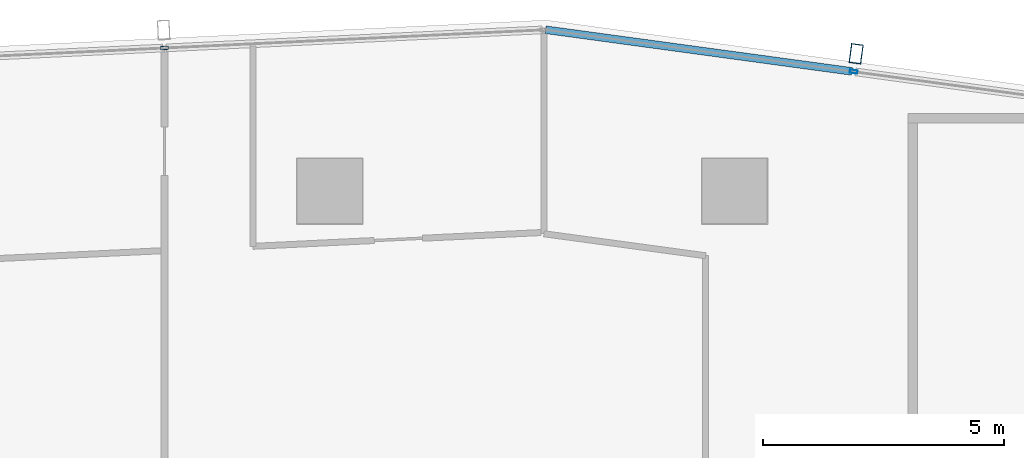
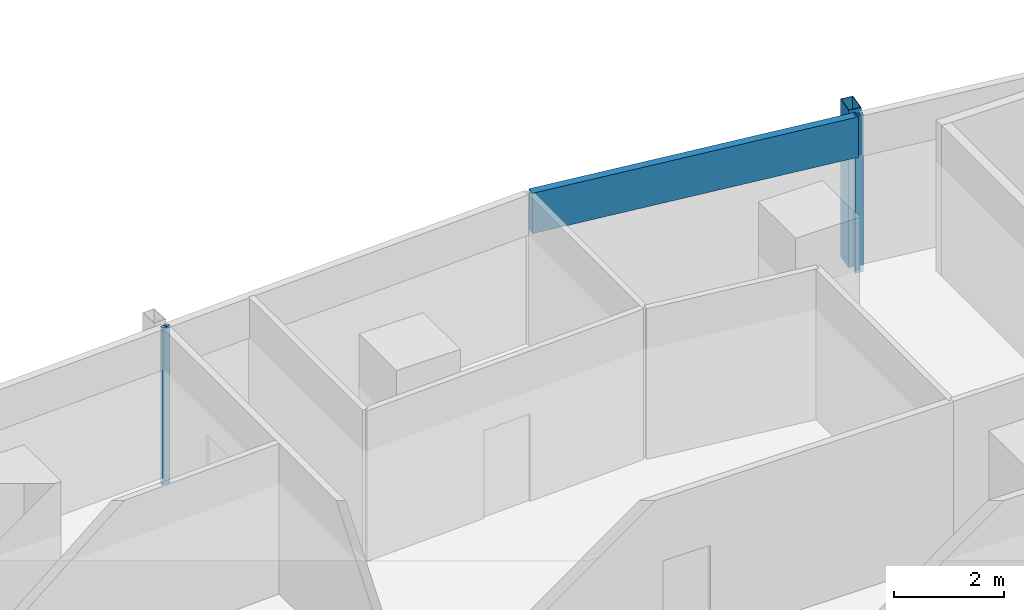
# One storey, part 18 of 33: 4 members, 2 elements without a shape of their own.
"""IFC4 building model written with IfcOpenShell, lengths in metres."""

from ifc_helpers import new_model, si_unit, direction, frame, origin, origin_2d, place, context, subcontext, project, spatial, hollow_rectangle, extrude, material, material_profile, profile_set, type_object, element, aggregate, save


model = new_model("IFC4")

# Units and contexts
model_context = context("Model", 3, precision=1e-05, world=origin(), true_north=direction((0.0, 1.0)))
body_context = subcontext(model_context, "Body", "Model", "MODEL_VIEW")
ifc_project = project(units=[si_unit("LENGTHUNIT", "METRE"), si_unit("AREAUNIT", "SQUARE_METRE"), si_unit("VOLUMEUNIT", "CUBIC_METRE"), si_unit("PLANEANGLEUNIT", "RADIAN"), si_unit("MASSUNIT", "GRAM", prefix="KILO")], contexts=[model_context])

# Site, building, storey
site_placement = place(None, origin())
site = spatial("IfcSite", under=ifc_project, at=site_placement, CompositionType="ELEMENT")
building_placement = place(site_placement, origin())
building = spatial("IfcBuilding", under=site, at=building_placement, Name="Rekha Terrace Tower", CompositionType="ELEMENT")
storey_placement = place(building_placement, frame((0.0, 0.0, 206.449951171875)))
storey = spatial("IfcBuildingStorey", under=building, at=storey_placement, Name="L52", CompositionType="ELEMENT", Elevation=206.449951171875)

# Curtain wall, members
ifc_material_1 = material(Name="Aluminium framing", Category="aluminium")
curtain_wall_type = type_object("IfcCurtainWallType", Name="CW3 north unitised glazing", PredefinedType="USERDEFINED", material=ifc_material_1)
curtain_wall_1_placement = place(storey_placement, origin())
curtain_wall_1 = element("IfcCurtainWall", 1, at=curtain_wall_1_placement, inside=storey, type_object=curtain_wall_type, Name="CW3 unitised curtain wall", ObjectType="UNITISED CURTAIN WALL", PredefinedType="USERDEFINED")
ifc_material_2 = material(Name="Steel S355 with fluorocarbon finish", Category="steel")
ifc_material_profile_1 = material_profile(ifc_material_2, hollow_rectangle(XDim=0.25, YDim=0.39990234375, WallThickness=0.012451171875, at=origin_2d()), Name="RHS400x250x12.5")
ifc_profile_set_1 = profile_set([ifc_material_profile_1], Name="Steel S355 with fluorocarbon finish")
member_type_1 = type_object("IfcMemberType", Name="BL1 facade blade RHS 400 x 250", PredefinedType="USERDEFINED", material=ifc_profile_set_1)
member_1_placement = place(storey_placement, frame((52.92431640625, 61.65087890625, 0.0), z_axis=(0.0, 0.0, 1.0), x_axis=(-0.990867309488, 0.134840553943, 0.0)))
member_1 = element("IfcMember", 2, at=member_1_placement, type_object=member_type_1, Name="Facade blade", ObjectType="FACADE BLADE", PredefinedType="USERDEFINED", context=body_context, shape_type="SweptSolid", body=[
    extrude(hollow_rectangle(XDim=0.25, YDim=0.39990234375, WallThickness=0.012451171875, at=origin_2d()), origin(), (0.0, 0.0, 1.0), 3.5),
])
ifc_material_3 = material(Name="Aluminium mullion section", Category="aluminium")
ifc_material_profile_2 = material_profile(ifc_material_3, hollow_rectangle(XDim=0.070068359375, YDim=0.159912109375, WallThickness=0.00390625, at=origin_2d()), Name="AL RHS 70x160")
ifc_profile_set_2 = profile_set([ifc_material_profile_2], Name="Aluminium mullion section")
member_type_2 = type_object("IfcMemberType", Name="CW3 mullion RHS 70 x 160", PredefinedType="MULLION", material=ifc_profile_set_2)
member_2_placement = place(storey_placement, frame((52.87353515625, 61.279296875, 0.0), z_axis=(0.0, 0.0, 1.0), x_axis=(-0.134840840399, -0.990867270506, 0.0)))
member_2 = element("IfcMember", 3, at=member_2_placement, type_object=member_type_2, Name="CW3 mullion 2", PredefinedType="MULLION", context=body_context, shape_type="SweptSolid", body=[
    extrude(hollow_rectangle(XDim=0.070068359375, YDim=0.159912109375, WallThickness=0.00390625, at=origin_2d()), origin(), (0.0, 0.0, 1.0), 3.5),
])

# Curtain wall, member
curtain_wall_2_placement = place(storey_placement, origin())
curtain_wall_2 = element("IfcCurtainWall", 4, at=curtain_wall_2_placement, inside=storey, type_object=curtain_wall_type, Name="CW3 unitised curtain wall", ObjectType="UNITISED CURTAIN WALL", PredefinedType="USERDEFINED")
member_3_placement = place(storey_placement, frame((38.570068359375, 61.771240234375, 0.0), z_axis=(0.0, 0.0, 1.0), x_axis=(0.047758616983, -0.998858906204, 0.0)))
member_3 = element("IfcMember", 5, at=member_3_placement, type_object=member_type_2, Name="CW3 mullion 2", PredefinedType="MULLION", context=body_context, shape_type="SweptSolid", body=[
    extrude(hollow_rectangle(XDim=0.070068359375, YDim=0.159912109375, WallThickness=0.00390625, at=origin_2d()), origin(), (0.0, 0.0, 1.0), 3.5),
])
aggregate(curtain_wall_2, [member_3])

# Member
ifc_material_4 = material(Name="Insulated aluminium spandrel box", Category="aluminium")
ifc_material_profile_3 = material_profile(ifc_material_4, hollow_rectangle(XDim=0.159912109375, YDim=0.89990234375, WallThickness=0.0029296875, at=origin_2d()), Name="AL SPANDREL BOX 160x900")
ifc_profile_set_3 = profile_set([ifc_material_profile_3], Name="Insulated aluminium spandrel box")
member_type_3 = type_object("IfcMemberType", Name="CW3 spandrel transom 160 x 900", PredefinedType="USERDEFINED", material=ifc_profile_set_3)
member_4_placement = place(storey_placement, frame((52.8388671875, 61.283935546875, 3.050048828125), z_axis=(-0.990866473304, 0.134846698448, 0.0), x_axis=(-0.134846698448, -0.990866473304, 0.0)))
member_4 = element("IfcMember", 6, at=member_4_placement, type_object=member_type_3, Name="CW3 spandrel transom 2", ObjectType="TRANSOM", PredefinedType="USERDEFINED", context=body_context, shape_type="SweptSolid", body=[
    extrude(hollow_rectangle(XDim=0.159912109375, YDim=0.89990234375, WallThickness=0.0029296875, at=origin_2d()), origin(), (0.0, 0.0, 1.0), 6.418212890625),
])

aggregate(curtain_wall_1, [member_2, member_4, member_1])

save(model, "model.ifc")
